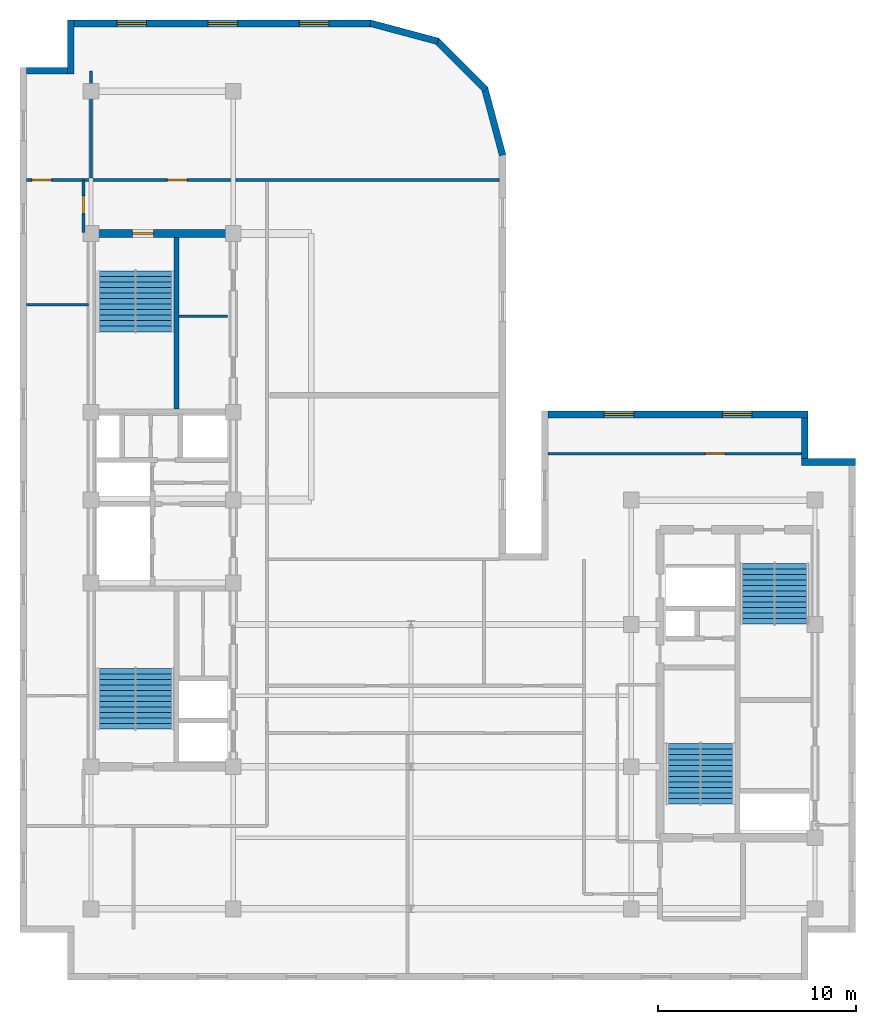
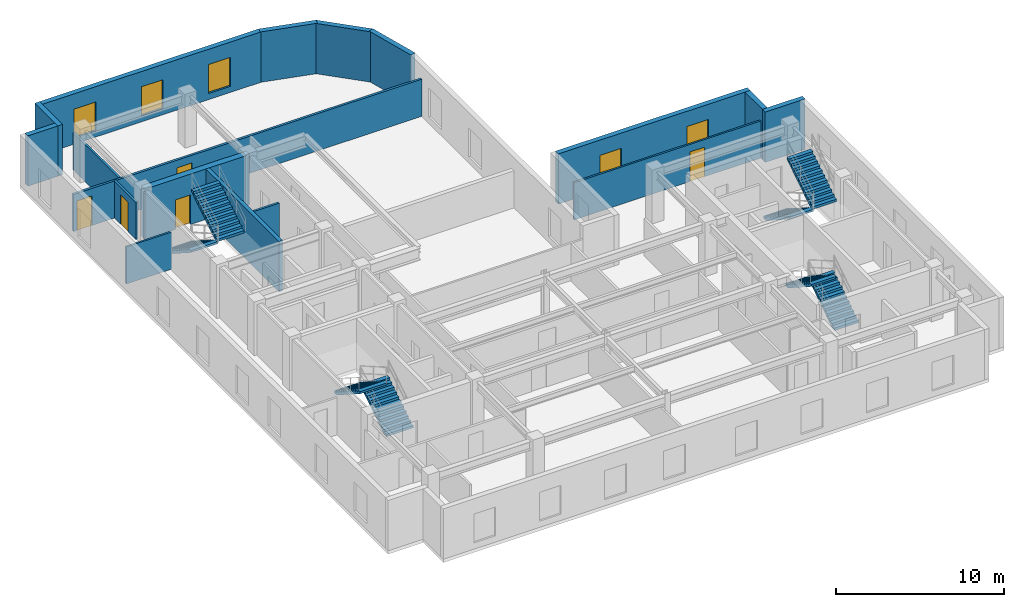
# One storey, part 6 of 9: 17 walls, 8 stair flights, 5 doors, 5 windows, 10 openings, 4 elements without a shape of their own.
"""IFC4 building model written with IfcOpenShell, lengths in metres."""

from ifc_helpers import new_model, entity, si_unit, converted_unit, direction, frame, origin_with_axes, origin_2d_with_axis, place, context, subcontext, project, spatial, polyline, rectangle, outline, extrude, material, layer, layer_set, type_object, element, fill, aggregate, save


model = new_model("IFC4")

# Units and contexts
model_context = context("Model", 3, precision=1e-05, world=origin_with_axes(), true_north=direction((0.0, 1.0)))
body_context = subcontext(model_context, "Body", "Model", "MODEL_VIEW")
ifc_project = project(units=[si_unit("LENGTHUNIT", "METRE"), si_unit("AREAUNIT", "SQUARE_METRE"), si_unit("VOLUMEUNIT", "CUBIC_METRE"), converted_unit("PLANEANGLEUNIT", "DEGREE", entity("IfcPlaneAngleMeasure", 0.017453292519943295), si_unit("PLANEANGLEUNIT", "RADIAN"), dimensions=[0, 0, 0, 0, 0, 0, 0]), si_unit("MASSUNIT", "GRAM", prefix="KILO"), si_unit("THERMODYNAMICTEMPERATUREUNIT", "KELVIN")], contexts=[model_context])

# Site, building, storey
site_placement = place(None, origin_with_axes())
site = spatial("IfcSite", under=ifc_project, at=site_placement, CompositionType="ELEMENT")
building_placement = place(site_placement, origin_with_axes())
building = spatial("IfcBuilding", under=site, at=building_placement, Name="Varnlund Millrace Tower", CompositionType="ELEMENT")
storey_placement = place(building_placement, frame((0.0, 0.0, 256.8), z_axis=(0.0, 0.0, 1.0), x_axis=(1.0, 0.0, 0.0)))
storey = spatial("IfcBuildingStorey", under=building, at=storey_placement, Name="L63", CompositionType="ELEMENT", Elevation=256.8)

# Wall, opening, door
ifc_material_1 = material(Name="Concrete C60/75", Category="concrete")
ifc_layer_1 = layer(ifc_material_1, 0.42, Name="Concrete C60/75")
ifc_layer_set_1 = layer_set([ifc_layer_1], Name="Concrete C60/75")
wall_type_1 = type_object("IfcWallType", Name="Type-CoreWall-Shear-420-C60", PredefinedType="SHEAR", material=ifc_layer_set_1)
wall_1_placement = place(storey_placement, frame((11.4, 37.8, 0.0), z_axis=(0.0, 0.0, 1.0), x_axis=(1.0, 0.0, 0.0)))
wall_1 = element("IfcWall", 1, at=wall_1_placement, inside=storey, type_object=wall_type_1, Name="Type-CoreWall-Shear-420-C60", PredefinedType="SHEAR", context=body_context, shape_type="SweptSolid", body=[
    extrude(outline(polyline([(0.0, -0.21), (7.2, -0.21), (7.2, 0.21), (0.0, 0.21), (0.0, -0.21)])), origin_with_axes(), (0.0, 0.0, 1.0), 3.66),
])
opening_1_placement = place(wall_1_placement, frame((2.625, 0.0, 0.0), z_axis=(0.0, 0.0, 1.0), x_axis=(1.0, 0.0, 0.0)))
opening_1 = element("IfcOpeningElement", 2, at=opening_1_placement, cuts=wall_1, Name="Opening L63:DR-STA2", PredefinedType="OPENING", context=body_context, shape_type="SweptSolid", body=[
    extrude(rectangle(XDim=1.05, YDim=0.44, at=origin_2d_with_axis()), origin_with_axes(), (0.0, 0.0, 1.0), 2.15),
])
ifc_material_2 = material(Name="Fire-rated hollow steel door", Category="steel")
door_type_1 = type_object("IfcDoorType", Name="Type-FireDoor-Stair-1050X2150", OperationType="NOTDEFINED", PredefinedType="DOOR", material=ifc_material_2)
door_1_placement = place(wall_1_placement, frame((2.625, 0.0, 0.0), z_axis=(0.0, 0.0, 1.0), x_axis=(1.0, 0.0, 0.0)))
door_1 = element("IfcDoor", 3, at=door_1_placement, inside=storey, type_object=door_type_1, Name="Type-FireDoor-Stair-1050X2150", OperationType="SINGLE_SWING_RIGHT", OverallHeight=2.15, OverallWidth=1.05, PredefinedType="DOOR", context=body_context, shape_type="SweptSolid", body=[
    extrude(rectangle(XDim=1.05, YDim=0.09, at=origin_2d_with_axis()), origin_with_axes(), (0.0, 0.0, 1.0), 2.15),
])
fill(opening_1, door_1)

# Wall, openings, windows
ifc_material_3 = material(Name="Precast concrete C50/60", Category="concrete")
ifc_layer_2 = layer(ifc_material_3, 0.34, Name="Precast concrete C50/60")
ifc_layer_set_2 = layer_set([ifc_layer_2], Name="Precast concrete C50/60")
wall_type_2 = type_object("IfcWallType", Name="Type-ExtWall-Precast-Upper-340", PredefinedType="SOLIDWALL", material=ifc_layer_set_2)
wall_2_placement = place(storey_placement, frame((34.54, 28.63, 0.0), z_axis=(0.0, 0.0, 1.0), x_axis=(1.0, 0.0, 0.0)))
wall_2 = element("IfcWall", 4, at=wall_2_placement, inside=storey, type_object=wall_type_2, Name="Type-ExtWall-Precast-Upper-340", PredefinedType="SOLIDWALL", context=body_context, shape_type="SweptSolid", body=[
    extrude(outline(polyline([(0.0, -0.17), (13.16, -0.17), (13.16, 0.17), (0.0, 0.17), (0.0, -0.17)])), origin_with_axes(), (0.0, 0.0, 1.0), 3.66),
])
opening_2_placement = place(wall_2_placement, frame((3.59, 0.0, 0.45), z_axis=(0.0, 0.0, 1.0), x_axis=(1.0, 0.0, 0.0)))
opening_2 = element("IfcOpeningElement", 5, at=opening_2_placement, cuts=wall_2, Name="Opening L63:WN-02", PredefinedType="OPENING", context=body_context, shape_type="SweptSolid", body=[
    extrude(rectangle(XDim=1.5, YDim=0.36, at=origin_2d_with_axis()), origin_with_axes(), (0.0, 0.0, 1.0), 2.1),
])
opening_3_placement = place(wall_2_placement, frame((9.57, 0.0, 0.45), z_axis=(0.0, 0.0, 1.0), x_axis=(1.0, 0.0, 0.0)))
opening_3 = element("IfcOpeningElement", 6, at=opening_3_placement, cuts=wall_2, Name="Opening L63:WN-03", PredefinedType="OPENING", context=body_context, shape_type="SweptSolid", body=[
    extrude(rectangle(XDim=1.5, YDim=0.36, at=origin_2d_with_axis()), origin_with_axes(), (0.0, 0.0, 1.0), 2.1),
])
ifc_material_4 = material(Name="Argon low-e triple glazing in thermally broken bronze frame", Category="glass")
window_type = type_object("IfcWindowType", Name="Type-Window-Punched-1500X2100", PartitioningType="SINGLE_PANEL", PredefinedType="WINDOW", material=ifc_material_4)
window_1_placement = place(wall_2_placement, frame((3.59, 0.0, 0.45), z_axis=(0.0, 0.0, 1.0), x_axis=(1.0, 0.0, 0.0)))
window_1 = element("IfcWindow", 7, at=window_1_placement, inside=storey, type_object=window_type, Name="Type-Window-Punched-1500X2100", OverallHeight=2.1, OverallWidth=1.5, PredefinedType="WINDOW", context=body_context, shape_type="SweptSolid", body=[
    extrude(rectangle(XDim=1.5, YDim=0.09, at=origin_2d_with_axis()), origin_with_axes(), (0.0, 0.0, 1.0), 2.1),
])
fill(opening_2, window_1)
window_2_placement = place(wall_2_placement, frame((9.57, 0.0, 0.45), z_axis=(0.0, 0.0, 1.0), x_axis=(1.0, 0.0, 0.0)))
window_2 = element("IfcWindow", 8, at=window_2_placement, inside=storey, type_object=window_type, Name="Type-Window-Punched-1500X2100", OverallHeight=2.1, OverallWidth=1.5, PredefinedType="WINDOW", context=body_context, shape_type="SweptSolid", body=[
    extrude(rectangle(XDim=1.5, YDim=0.09, at=origin_2d_with_axis()), origin_with_axes(), (0.0, 0.0, 1.0), 2.1),
])
fill(opening_3, window_2)

# Walls
wall_3_placement = place(storey_placement, frame((47.53, 28.46, 0.0), z_axis=(0.0, 0.0, 1.0), x_axis=(0.0, -1.0, 0.0)))
element("IfcWall", 9, at=wall_3_placement, inside=storey, type_object=wall_type_2, Name="Type-ExtWall-Precast-Upper-340", PredefinedType="SOLIDWALL", context=body_context, shape_type="SweptSolid", body=[
    extrude(outline(polyline([(0.0, -0.17), (2.06, -0.17), (2.06, 0.17), (0.0, 0.17), (0.0, -0.17)])), origin_with_axes(), (0.0, 0.0, 1.0), 3.66),
])
wall_4_placement = place(storey_placement, frame((47.36, 26.23, 0.0), z_axis=(0.0, 0.0, 1.0), x_axis=(1.0, 0.0, 0.0)))
element("IfcWall", 10, at=wall_4_placement, inside=storey, type_object=wall_type_2, Name="Type-ExtWall-Precast-Upper-340", PredefinedType="SOLIDWALL", context=body_context, shape_type="SweptSolid", body=[
    extrude(outline(polyline([(0.0, -0.17), (2.74, -0.17), (2.74, 0.17), (0.0, 0.17), (0.0, -0.17)])), origin_with_axes(), (0.0, 0.0, 1.0), 3.66),
])
wall_5_placement = place(storey_placement, frame((8.14, 46.03, 0.0), z_axis=(0.0, 0.0, 1.0), x_axis=(1.0, 0.0, 0.0)))
element("IfcWall", 11, at=wall_5_placement, inside=storey, type_object=wall_type_2, Name="Type-ExtWall-Precast-Upper-340", PredefinedType="SOLIDWALL", context=body_context, shape_type="SweptSolid", body=[
    extrude(outline(polyline([(0.0, -0.17), (2.06, -0.17), (2.06, 0.17), (0.0, 0.17), (0.0, -0.17)])), origin_with_axes(), (0.0, 0.0, 1.0), 3.66),
])
wall_6_placement = place(storey_placement, frame((10.37, 45.86, 0.0), z_axis=(0.0, 0.0, 1.0), x_axis=(0.0, 1.0, 0.0)))
element("IfcWall", 12, at=wall_6_placement, inside=storey, type_object=wall_type_2, Name="Type-ExtWall-Precast-Upper-340", PredefinedType="SOLIDWALL", context=body_context, shape_type="SweptSolid", body=[
    extrude(outline(polyline([(0.0, -0.17), (2.74, -0.17), (2.74, 0.17), (0.0, 0.17), (0.0, -0.17)])), origin_with_axes(), (0.0, 0.0, 1.0), 3.66),
])

# Wall, openings, windows
wall_7_placement = place(storey_placement, frame((10.54, 48.43, 0.0), z_axis=(0.0, 0.0, 1.0), x_axis=(1.0, 0.0, 0.0)))
wall_7 = element("IfcWall", 13, at=wall_7_placement, inside=storey, type_object=wall_type_2, Name="Type-ExtWall-Precast-Upper-340", PredefinedType="SOLIDWALL", context=body_context, shape_type="SweptSolid", body=[
    extrude(outline(polyline([(0.0, -0.17), (15.06, -0.17), (15.06, 0.17), (0.0, 0.17), (0.0, -0.17)])), origin_with_axes(), (0.0, 0.0, 1.0), 3.66),
])
opening_4_placement = place(wall_7_placement, frame((2.91, 0.0, 0.45), z_axis=(0.0, 0.0, 1.0), x_axis=(1.0, 0.0, 0.0)))
opening_4 = element("IfcOpeningElement", 14, at=opening_4_placement, cuts=wall_7, Name="Opening L63:WN-25", PredefinedType="OPENING", context=body_context, shape_type="SweptSolid", body=[
    extrude(rectangle(XDim=1.5, YDim=0.36, at=origin_2d_with_axis()), origin_with_axes(), (0.0, 0.0, 1.0), 2.1),
])
opening_5_placement = place(wall_7_placement, frame((7.53, 0.0, 0.45), z_axis=(0.0, 0.0, 1.0), x_axis=(1.0, 0.0, 0.0)))
opening_5 = element("IfcOpeningElement", 15, at=opening_5_placement, cuts=wall_7, Name="Opening L63:WN-26", PredefinedType="OPENING", context=body_context, shape_type="SweptSolid", body=[
    extrude(rectangle(XDim=1.5, YDim=0.36, at=origin_2d_with_axis()), origin_with_axes(), (0.0, 0.0, 1.0), 2.1),
])
opening_6_placement = place(wall_7_placement, frame((12.15, 0.0, 0.45), z_axis=(0.0, 0.0, 1.0), x_axis=(1.0, 0.0, 0.0)))
opening_6 = element("IfcOpeningElement", 16, at=opening_6_placement, cuts=wall_7, Name="Opening L63:WN-27", PredefinedType="OPENING", context=body_context, shape_type="SweptSolid", body=[
    extrude(rectangle(XDim=1.5, YDim=0.36, at=origin_2d_with_axis()), origin_with_axes(), (0.0, 0.0, 1.0), 2.1),
])
window_3_placement = place(wall_7_placement, frame((2.91, 0.0, 0.45), z_axis=(0.0, 0.0, 1.0), x_axis=(1.0, 0.0, 0.0)))
window_3 = element("IfcWindow", 17, at=window_3_placement, inside=storey, type_object=window_type, Name="Type-Window-Punched-1500X2100", OverallHeight=2.1, OverallWidth=1.5, PredefinedType="WINDOW", context=body_context, shape_type="SweptSolid", body=[
    extrude(rectangle(XDim=1.5, YDim=0.09, at=origin_2d_with_axis()), origin_with_axes(), (0.0, 0.0, 1.0), 2.1),
])
fill(opening_4, window_3)
window_4_placement = place(wall_7_placement, frame((7.53, 0.0, 0.45), z_axis=(0.0, 0.0, 1.0), x_axis=(1.0, 0.0, 0.0)))
window_4 = element("IfcWindow", 18, at=window_4_placement, inside=storey, type_object=window_type, Name="Type-Window-Punched-1500X2100", OverallHeight=2.1, OverallWidth=1.5, PredefinedType="WINDOW", context=body_context, shape_type="SweptSolid", body=[
    extrude(rectangle(XDim=1.5, YDim=0.09, at=origin_2d_with_axis()), origin_with_axes(), (0.0, 0.0, 1.0), 2.1),
])
fill(opening_5, window_4)
window_5_placement = place(wall_7_placement, frame((12.15, 0.0, 0.45), z_axis=(0.0, 0.0, 1.0), x_axis=(1.0, 0.0, 0.0)))
window_5 = element("IfcWindow", 19, at=window_5_placement, inside=storey, type_object=window_type, Name="Type-Window-Punched-1500X2100", OverallHeight=2.1, OverallWidth=1.5, PredefinedType="WINDOW", context=body_context, shape_type="SweptSolid", body=[
    extrude(rectangle(XDim=1.5, YDim=0.09, at=origin_2d_with_axis()), origin_with_axes(), (0.0, 0.0, 1.0), 2.1),
])
fill(opening_6, window_5)

# Walls
wall_8_placement = place(storey_placement, frame((25.537, 48.441, 0.0), z_axis=(0.0, 0.0, 1.0), x_axis=(0.965934, -0.258788, 0.0)))
element("IfcWall", 20, at=wall_8_placement, inside=storey, type_object=wall_type_2, Name="Type-ExtWall-Precast-Upper-340", PredefinedType="SOLIDWALL", context=body_context, shape_type="SweptSolid", body=[
    extrude(outline(polyline([(0.0, -0.17), (3.539579, -0.17), (3.539579, 0.17), (0.0, 0.17), (0.0, -0.17)])), origin_with_axes(), (0.0, 0.0, 1.0), 3.66),
])
wall_9_placement = place(storey_placement, frame((28.866, 47.583, 0.0), z_axis=(0.0, 0.0, 1.0), x_axis=(0.707107, -0.707107, 0.0)))
element("IfcWall", 21, at=wall_9_placement, inside=storey, type_object=wall_type_2, Name="Type-ExtWall-Precast-Upper-340", PredefinedType="SOLIDWALL", context=body_context, shape_type="SweptSolid", body=[
    extrude(outline(polyline([(0.0, -0.17), (3.539777, -0.17), (3.539777, 0.17), (0.0, 0.17), (0.0, -0.17)])), origin_with_axes(), (0.0, 0.0, 1.0), 3.66),
])
wall_10_placement = place(storey_placement, frame((31.32, 45.175, 0.0), z_axis=(0.0, 0.0, 1.0), x_axis=(0.258788, -0.965934, 0.0)))
element("IfcWall", 22, at=wall_10_placement, inside=storey, type_object=wall_type_2, Name="Type-ExtWall-Precast-Upper-340", PredefinedType="SOLIDWALL", context=body_context, shape_type="SweptSolid", body=[
    extrude(outline(polyline([(0.0, -0.17), (3.539579, -0.17), (3.539579, 0.17), (0.0, 0.17), (0.0, -0.17)])), origin_with_axes(), (0.0, 0.0, 1.0), 3.66),
])

# Wall, openings, doors
ifc_material_5 = material(Name="Fire-rated gypsum board on cold-formed steel framing", Category="steel")
ifc_layer_3 = layer(ifc_material_5, 0.16, Name="Fire-rated gypsum board on cold-formed steel framing")
ifc_layer_set_3 = layer_set([ifc_layer_3], Name="Fire-rated gypsum board on cold-formed steel framing")
wall_type_3 = type_object("IfcWallType", Name="Type-Partition-Corridor-160", PredefinedType="PARTITIONING", material=ifc_layer_set_3)
wall_11_placement = place(storey_placement, frame((8.135, 40.5, 0.0), z_axis=(0.0, 0.0, 1.0), x_axis=(1.0, 0.0, 0.0)))
wall_11 = element("IfcWall", 23, at=wall_11_placement, inside=storey, type_object=wall_type_3, Name="Type-Partition-Corridor-160", PredefinedType="PARTITIONING", context=body_context, shape_type="SweptSolid", body=[
    extrude(outline(polyline([(0.0, -0.08), (23.93, -0.08), (23.93, 0.08), (0.0, 0.08), (0.0, -0.08)])), origin_with_axes(), (0.0, 0.0, 1.0), 2.7),
])
opening_7_placement = place(wall_11_placement, frame((0.76, 0.0, 0.0), z_axis=(0.0, 0.0, 1.0), x_axis=(1.0, 0.0, 0.0)))
opening_7 = element("IfcOpeningElement", 24, at=opening_7_placement, cuts=wall_11, Name="Opening L63:DR-WAN-01", PredefinedType="OPENING", context=body_context, shape_type="SweptSolid", body=[
    extrude(rectangle(XDim=1.0, YDim=0.18, at=origin_2d_with_axis()), origin_with_axes(), (0.0, 0.0, 1.0), 2.15),
])
opening_8_placement = place(wall_11_placement, frame((7.625, 0.0, 0.0), z_axis=(0.0, 0.0, 1.0), x_axis=(1.0, 0.0, 0.0)))
opening_8 = element("IfcOpeningElement", 25, at=opening_8_placement, cuts=wall_11, Name="Opening L63:DR-WAN-02", PredefinedType="OPENING", context=body_context, shape_type="SweptSolid", body=[
    extrude(rectangle(XDim=1.0, YDim=0.18, at=origin_2d_with_axis()), origin_with_axes(), (0.0, 0.0, 1.0), 2.15),
])
ifc_material_6 = material(Name="Solid-core white oak and bronze frame door")
door_type_2 = type_object("IfcDoorType", Name="Type-IntDoor-Office-1000X2150", OperationType="NOTDEFINED", PredefinedType="DOOR", material=ifc_material_6)
door_2_placement = place(wall_11_placement, frame((0.76, 0.0, 0.0), z_axis=(0.0, 0.0, 1.0), x_axis=(1.0, 0.0, 0.0)))
door_2 = element("IfcDoor", 26, at=door_2_placement, inside=storey, type_object=door_type_2, Name="Type-IntDoor-Office-1000X2150", OperationType="SINGLE_SWING_LEFT", OverallHeight=2.15, OverallWidth=1.0, PredefinedType="DOOR", context=body_context, shape_type="SweptSolid", body=[
    extrude(rectangle(XDim=1.0, YDim=0.09, at=origin_2d_with_axis()), origin_with_axes(), (0.0, 0.0, 1.0), 2.15),
])
fill(opening_7, door_2)
door_3_placement = place(wall_11_placement, frame((7.625, 0.0, 0.0), z_axis=(0.0, 0.0, 1.0), x_axis=(1.0, 0.0, 0.0)))
door_3 = element("IfcDoor", 27, at=door_3_placement, inside=storey, type_object=door_type_2, Name="Type-IntDoor-Office-1000X2150", OperationType="SINGLE_SWING_RIGHT", OverallHeight=2.15, OverallWidth=1.0, PredefinedType="DOOR", context=body_context, shape_type="SweptSolid", body=[
    extrude(rectangle(XDim=1.0, YDim=0.09, at=origin_2d_with_axis()), origin_with_axes(), (0.0, 0.0, 1.0), 2.15),
])
fill(opening_8, door_3)

# Wall, opening, door
wall_12_placement = place(storey_placement, frame((11.02, 37.85, 0.0), z_axis=(0.0, 0.0, 1.0), x_axis=(0.0, 1.0, 0.0)))
wall_12 = element("IfcWall", 28, at=wall_12_placement, inside=storey, type_object=wall_type_3, Name="Type-Partition-Corridor-160", PredefinedType="PARTITIONING", context=body_context, shape_type="SweptSolid", body=[
    extrude(outline(polyline([(0.0, -0.08), (2.65, -0.08), (2.65, 0.08), (0.0, 0.08), (0.0, -0.08)])), origin_with_axes(), (0.0, 0.0, 1.0), 2.7),
])
opening_9_placement = place(wall_12_placement, frame((1.4, 0.0, 0.0), z_axis=(0.0, 0.0, 1.0), x_axis=(1.0, 0.0, 0.0)))
opening_9 = element("IfcOpeningElement", 29, at=opening_9_placement, cuts=wall_12, Name="Opening L63:DR-WU-N1", PredefinedType="OPENING", context=body_context, shape_type="SweptSolid", body=[
    extrude(rectangle(XDim=0.9, YDim=0.18, at=origin_2d_with_axis()), origin_with_axes(), (0.0, 0.0, 1.0), 2.15),
])
ifc_material_7 = material(Name="Painted steel riser and closet door", Category="steel")
door_type_3 = type_object("IfcDoorType", Name="Type-IntDoor-Closet-900X2150", OperationType="NOTDEFINED", PredefinedType="DOOR", material=ifc_material_7)
door_4_placement = place(wall_12_placement, frame((1.4, 0.0, 0.0), z_axis=(0.0, 0.0, 1.0), x_axis=(1.0, 0.0, 0.0)))
door_4 = element("IfcDoor", 30, at=door_4_placement, inside=storey, type_object=door_type_3, Name="Type-IntDoor-Closet-900X2150", OperationType="SINGLE_SWING_RIGHT", OverallHeight=2.15, OverallWidth=0.9, PredefinedType="DOOR", context=body_context, shape_type="SweptSolid", body=[
    extrude(rectangle(XDim=0.9, YDim=0.09, at=origin_2d_with_axis()), origin_with_axes(), (0.0, 0.0, 1.0), 2.15),
])
fill(opening_9, door_4)

# Walls
ifc_material_8 = material(Name="Acoustic STC-50 gypsum board partition", Category="gypsum")
ifc_layer_4 = layer(ifc_material_8, 0.15, Name="Acoustic STC-50 gypsum board partition")
ifc_layer_set_4 = layer_set([ifc_layer_4], Name="Acoustic STC-50 gypsum board partition")
wall_type_4 = type_object("IfcWallType", Name="Type-Partition-Demising-150", PredefinedType="PARTITIONING", material=ifc_layer_set_4)
wall_13_placement = place(storey_placement, frame((11.4, 40.6, 0.0), z_axis=(0.0, 0.0, 1.0), x_axis=(0.0, 1.0, 0.0)))
element("IfcWall", 31, at=wall_13_placement, inside=storey, type_object=wall_type_4, Name="Type-Partition-Demising-150", PredefinedType="PARTITIONING", context=body_context, shape_type="SweptSolid", body=[
    extrude(outline(polyline([(0.0, -0.075), (5.42, -0.075), (5.42, 0.075), (0.0, 0.075), (0.0, -0.075)])), origin_with_axes(), (0.0, 0.0, 1.0), 2.7),
])
ifc_material_9 = material(Name="Gypsum board tenant partition", Category="gypsum")
ifc_layer_5 = layer(ifc_material_9, 0.125, Name="Gypsum board tenant partition")
ifc_layer_set_5 = layer_set([ifc_layer_5], Name="Gypsum board tenant partition")
wall_type_5 = type_object("IfcWallType", Name="Type-Partition-Tenant-125", PredefinedType="PARTITIONING", material=ifc_layer_set_5)
wall_14_placement = place(storey_placement, frame((8.135, 34.2, 0.0), z_axis=(0.0, 0.0, 1.0), x_axis=(1.0, 0.0, 0.0)))
element("IfcWall", 32, at=wall_14_placement, inside=storey, type_object=wall_type_5, Name="Type-Partition-Tenant-125", PredefinedType="PARTITIONING", context=body_context, shape_type="SweptSolid", body=[
    extrude(outline(polyline([(0.0, -0.0625), (3.135, -0.0625), (3.135, 0.0625), (0.0, 0.0625), (0.0, -0.0625)])), origin_with_axes(), (0.0, 0.0, 1.0), 2.7),
])

# Wall, opening, door
wall_15_placement = place(storey_placement, frame((34.535, 26.65, 0.0), z_axis=(0.0, 0.0, 1.0), x_axis=(1.0, 0.0, 0.0)))
wall_15 = element("IfcWall", 33, at=wall_15_placement, inside=storey, type_object=wall_type_5, Name="Type-Partition-Tenant-125", PredefinedType="PARTITIONING", context=body_context, shape_type="SweptSolid", body=[
    extrude(outline(polyline([(0.0, -0.0625), (12.995, -0.0625), (12.995, 0.0625), (0.0, 0.0625), (0.0, -0.0625)])), origin_with_axes(), (0.0, 0.0, 1.0), 2.7),
])
opening_10_placement = place(wall_15_placement, frame((8.465, 0.0, 0.0), z_axis=(0.0, 0.0, 1.0), x_axis=(1.0, 0.0, 0.0)))
opening_10 = element("IfcOpeningElement", 34, at=opening_10_placement, cuts=wall_15, Name="Opening L63:DR-WBN-01", PredefinedType="OPENING", context=body_context, shape_type="SweptSolid", body=[
    extrude(rectangle(XDim=1.0, YDim=0.145, at=origin_2d_with_axis()), origin_with_axes(), (0.0, 0.0, 1.0), 2.15),
])
door_5_placement = place(wall_15_placement, frame((8.465, 0.0, 0.0), z_axis=(0.0, 0.0, 1.0), x_axis=(1.0, 0.0, 0.0)))
door_5 = element("IfcDoor", 35, at=door_5_placement, inside=storey, type_object=door_type_2, Name="Type-IntDoor-Office-1000X2150", OperationType="SINGLE_SWING_RIGHT", OverallHeight=2.15, OverallWidth=1.0, PredefinedType="DOOR", context=body_context, shape_type="SweptSolid", body=[
    extrude(rectangle(XDim=1.0, YDim=0.075, at=origin_2d_with_axis()), origin_with_axes(), (0.0, 0.0, 1.0), 2.15),
])
fill(opening_10, door_5)

# Walls
ifc_material_10 = material(Name="Moisture-resistant gypsum restroom partition", Category="gypsum")
ifc_layer_6 = layer(ifc_material_10, 0.14, Name="Moisture-resistant gypsum restroom partition")
ifc_layer_set_6 = layer_set([ifc_layer_6], Name="Moisture-resistant gypsum restroom partition")
wall_type_6 = type_object("IfcWallType", Name="Type-Partition-Wet-140", PredefinedType="PARTITIONING", material=ifc_layer_set_6)
wall_16_placement = place(storey_placement, frame((15.84, 33.6, 0.0), z_axis=(0.0, 0.0, 1.0), x_axis=(1.0, 0.0, 0.0)))
element("IfcWall", 36, at=wall_16_placement, inside=storey, type_object=wall_type_6, Name="Type-Partition-Wet-140", PredefinedType="PARTITIONING", context=body_context, shape_type="SweptSolid", body=[
    extrude(outline(polyline([(0.0, -0.07), (2.46, -0.07), (2.46, 0.07), (0.0, 0.07), (0.0, -0.07)])), origin_with_axes(), (0.0, 0.0, 1.0), 2.7),
])
ifc_layer_7 = layer(ifc_material_1, 0.25, Name="Concrete C60/75")
ifc_layer_set_7 = layer_set([ifc_layer_7], Name="Concrete C60/75")
wall_type_7 = type_object("IfcWallType", Name="Type-StairWall-Shear-250", PredefinedType="SHEAR", material=ifc_layer_set_7)
wall_17_placement = place(storey_placement, frame((15.725, 28.9, 0.0), z_axis=(0.0, 0.0, 1.0), x_axis=(0.0, 1.0, 0.0)))
element("IfcWall", 37, at=wall_17_placement, inside=storey, type_object=wall_type_7, Name="Type-StairWall-Shear-250", PredefinedType="SHEAR", context=body_context, shape_type="SweptSolid", body=[
    extrude(outline(polyline([(0.0, -0.125), (8.69, -0.125), (8.69, 0.125), (0.0, 0.125), (0.0, -0.125)])), origin_with_axes(), (0.0, 0.0, 1.0), 3.66),
])

# Stair, stair flights
ifc_material_11 = material(Name="Concrete C50/60", Category="concrete")
stair_type_1 = type_object("IfcStairType", Name="Type-Stair-Dogleg-165-390", PredefinedType="HALF_TURN_STAIR", material=ifc_material_11)
stair_1_placement = place(storey_placement, origin_with_axes())
stair_1 = element("IfcStair", 38, at=stair_1_placement, inside=storey, type_object=stair_type_1, Name="Type-Stair-Dogleg-165-390", PredefinedType="HALF_TURN_STAIR")
stair_flight_type_1 = type_object("IfcStairFlightType", Name="Type-Dogleg-Run-165-390", PredefinedType="STRAIGHT", material=ifc_material_3)
stair_flight_1_placement = place(storey_placement, frame((42.225, 8.9, 0.0), z_axis=(1.0, 0.0, 0.0), x_axis=(0.0, 1.0, 0.0)))
stair_flight_1 = element("IfcStairFlight", 39, at=stair_flight_1_placement, type_object=stair_flight_type_1, Name="ST-B1 flight 1", NumberOfRisers=11, NumberOfTreads=11, PredefinedType="STRAIGHT", RiserHeight=0.177273, TreadLength=0.28, context=body_context, shape_type="SweptSolid", body=[
    extrude(outline(polyline([(0.0, 0.0), (0.0, 0.177273), (0.28, 0.177273), (0.28, 0.354545), (0.56, 0.354545), (0.56, 0.531818), (0.84, 0.531818), (0.84, 0.709091), (1.12, 0.709091), (1.12, 0.886364), (1.4, 0.886364), (1.4, 1.063636), (1.68, 1.063636), (1.68, 1.240909), (1.96, 1.240909), (1.96, 1.418182), (2.24, 1.418182), (2.24, 1.595454), (2.52, 1.595454), (2.52, 1.772727), (2.8, 1.772727), (2.8, 1.95), (3.08, 1.95), (3.08, 1.8), (0.28, 0.0), (0.0, 0.0)])), origin_with_axes(), (0.0, 0.0, 1.0), 1.65),
])
stair_flight_2_placement = place(storey_placement, frame((42.275, 11.98, 1.95), z_axis=(-1.0, 0.0, 0.0), x_axis=(0.0, -1.0, 0.0)))
stair_flight_2 = element("IfcStairFlight", 40, at=stair_flight_2_placement, type_object=stair_flight_type_1, Name="ST-B1 flight 2", NumberOfRisers=11, NumberOfTreads=11, PredefinedType="STRAIGHT", RiserHeight=0.177273, TreadLength=0.28, context=body_context, shape_type="SweptSolid", body=[
    extrude(outline(polyline([(0.0, 0.0), (0.0, 0.177273), (0.28, 0.177273), (0.28, 0.354545), (0.56, 0.354545), (0.56, 0.531818), (0.84, 0.531818), (0.84, 0.709091), (1.12, 0.709091), (1.12, 0.886364), (1.4, 0.886364), (1.4, 1.063636), (1.68, 1.063636), (1.68, 1.240909), (1.96, 1.240909), (1.96, 1.418182), (2.24, 1.418182), (2.24, 1.595454), (2.52, 1.595454), (2.52, 1.772727), (2.8, 1.772727), (2.8, 1.95), (3.08, 1.95), (3.08, 1.8), (0.28, 0.0), (0.0, 0.0)])), origin_with_axes(), (0.0, 0.0, 1.0), 1.65),
])
aggregate(stair_1, [stair_flight_1, stair_flight_2])

stair_2_placement = place(storey_placement, origin_with_axes())
stair_2 = element("IfcStair", 41, at=stair_2_placement, inside=storey, type_object=stair_type_1, Name="Type-Stair-Dogleg-165-390", PredefinedType="HALF_TURN_STAIR")
stair_flight_3_placement = place(storey_placement, frame((46.025, 21.1, 0.0), z_axis=(-1.0, 0.0, 0.0), x_axis=(0.0, -1.0, 0.0)))
stair_flight_3 = element("IfcStairFlight", 42, at=stair_flight_3_placement, type_object=stair_flight_type_1, Name="ST-B2 flight 1", NumberOfRisers=11, NumberOfTreads=11, PredefinedType="STRAIGHT", RiserHeight=0.177273, TreadLength=0.28, context=body_context, shape_type="SweptSolid", body=[
    extrude(outline(polyline([(0.0, 0.0), (0.0, 0.177273), (0.28, 0.177273), (0.28, 0.354545), (0.56, 0.354545), (0.56, 0.531818), (0.84, 0.531818), (0.84, 0.709091), (1.12, 0.709091), (1.12, 0.886364), (1.4, 0.886364), (1.4, 1.063636), (1.68, 1.063636), (1.68, 1.240909), (1.96, 1.240909), (1.96, 1.418182), (2.24, 1.418182), (2.24, 1.595454), (2.52, 1.595454), (2.52, 1.772727), (2.8, 1.772727), (2.8, 1.95), (3.08, 1.95), (3.08, 1.8), (0.28, 0.0), (0.0, 0.0)])), origin_with_axes(), (0.0, 0.0, 1.0), 1.65),
])
stair_flight_4_placement = place(storey_placement, frame((45.975, 18.02, 1.95), z_axis=(1.0, 0.0, 0.0), x_axis=(0.0, 1.0, 0.0)))
stair_flight_4 = element("IfcStairFlight", 43, at=stair_flight_4_placement, type_object=stair_flight_type_1, Name="ST-B2 flight 2", NumberOfRisers=11, NumberOfTreads=11, PredefinedType="STRAIGHT", RiserHeight=0.177273, TreadLength=0.28, context=body_context, shape_type="SweptSolid", body=[
    extrude(outline(polyline([(0.0, 0.0), (0.0, 0.177273), (0.28, 0.177273), (0.28, 0.354545), (0.56, 0.354545), (0.56, 0.531818), (0.84, 0.531818), (0.84, 0.709091), (1.12, 0.709091), (1.12, 0.886364), (1.4, 0.886364), (1.4, 1.063636), (1.68, 1.063636), (1.68, 1.240909), (1.96, 1.240909), (1.96, 1.418182), (2.24, 1.418182), (2.24, 1.595454), (2.52, 1.595454), (2.52, 1.772727), (2.8, 1.772727), (2.8, 1.95), (3.08, 1.95), (3.08, 1.8), (0.28, 0.0), (0.0, 0.0)])), origin_with_axes(), (0.0, 0.0, 1.0), 1.65),
])
aggregate(stair_2, [stair_flight_3, stair_flight_4])

stair_type_2 = type_object("IfcStairType", Name="Type-Stair-Dogleg-185-390", PredefinedType="HALF_TURN_STAIR", material=ifc_material_11)
stair_3_placement = place(storey_placement, origin_with_axes())
stair_3 = element("IfcStair", 44, at=stair_3_placement, inside=storey, type_object=stair_type_2, Name="Type-Stair-Dogleg-185-390", PredefinedType="HALF_TURN_STAIR")
stair_flight_type_2 = type_object("IfcStairFlightType", Name="Type-Dogleg-Run-185-390", PredefinedType="STRAIGHT", material=ifc_material_3)
stair_flight_5_placement = place(storey_placement, frame((13.625, 12.7, 0.0), z_axis=(1.0, 0.0, 0.0), x_axis=(0.0, 1.0, 0.0)))
stair_flight_5 = element("IfcStairFlight", 45, at=stair_flight_5_placement, type_object=stair_flight_type_2, Name="ST-A1 flight 1", NumberOfRisers=11, NumberOfTreads=11, PredefinedType="STRAIGHT", RiserHeight=0.177273, TreadLength=0.28, context=body_context, shape_type="SweptSolid", body=[
    extrude(outline(polyline([(0.0, 0.0), (0.0, 0.177273), (0.28, 0.177273), (0.28, 0.354545), (0.56, 0.354545), (0.56, 0.531818), (0.84, 0.531818), (0.84, 0.709091), (1.12, 0.709091), (1.12, 0.886364), (1.4, 0.886364), (1.4, 1.063636), (1.68, 1.063636), (1.68, 1.240909), (1.96, 1.240909), (1.96, 1.418182), (2.24, 1.418182), (2.24, 1.595454), (2.52, 1.595454), (2.52, 1.772727), (2.8, 1.772727), (2.8, 1.95), (3.08, 1.95), (3.08, 1.8), (0.28, 0.0), (0.0, 0.0)])), origin_with_axes(), (0.0, 0.0, 1.0), 1.85),
])
stair_flight_6_placement = place(storey_placement, frame((13.675, 15.78, 1.95), z_axis=(-1.0, 0.0, 0.0), x_axis=(0.0, -1.0, 0.0)))
stair_flight_6 = element("IfcStairFlight", 46, at=stair_flight_6_placement, type_object=stair_flight_type_2, Name="ST-A1 flight 2", NumberOfRisers=11, NumberOfTreads=11, PredefinedType="STRAIGHT", RiserHeight=0.177273, TreadLength=0.28, context=body_context, shape_type="SweptSolid", body=[
    extrude(outline(polyline([(0.0, 0.0), (0.0, 0.177273), (0.28, 0.177273), (0.28, 0.354545), (0.56, 0.354545), (0.56, 0.531818), (0.84, 0.531818), (0.84, 0.709091), (1.12, 0.709091), (1.12, 0.886364), (1.4, 0.886364), (1.4, 1.063636), (1.68, 1.063636), (1.68, 1.240909), (1.96, 1.240909), (1.96, 1.418182), (2.24, 1.418182), (2.24, 1.595454), (2.52, 1.595454), (2.52, 1.772727), (2.8, 1.772727), (2.8, 1.95), (3.08, 1.95), (3.08, 1.8), (0.28, 0.0), (0.0, 0.0)])), origin_with_axes(), (0.0, 0.0, 1.0), 1.85),
])
aggregate(stair_3, [stair_flight_5, stair_flight_6])

stair_4_placement = place(storey_placement, origin_with_axes())
stair_4 = element("IfcStair", 47, at=stair_4_placement, inside=storey, type_object=stair_type_2, Name="Type-Stair-Dogleg-185-390", PredefinedType="HALF_TURN_STAIR")
stair_flight_7_placement = place(storey_placement, frame((13.675, 35.9, 0.0), z_axis=(-1.0, 0.0, 0.0), x_axis=(0.0, -1.0, 0.0)))
stair_flight_7 = element("IfcStairFlight", 48, at=stair_flight_7_placement, type_object=stair_flight_type_2, Name="ST-A2 flight 1", NumberOfRisers=11, NumberOfTreads=11, PredefinedType="STRAIGHT", RiserHeight=0.177273, TreadLength=0.28, context=body_context, shape_type="SweptSolid", body=[
    extrude(outline(polyline([(0.0, 0.0), (0.0, 0.177273), (0.28, 0.177273), (0.28, 0.354545), (0.56, 0.354545), (0.56, 0.531818), (0.84, 0.531818), (0.84, 0.709091), (1.12, 0.709091), (1.12, 0.886364), (1.4, 0.886364), (1.4, 1.063636), (1.68, 1.063636), (1.68, 1.240909), (1.96, 1.240909), (1.96, 1.418182), (2.24, 1.418182), (2.24, 1.595454), (2.52, 1.595454), (2.52, 1.772727), (2.8, 1.772727), (2.8, 1.95), (3.08, 1.95), (3.08, 1.8), (0.28, 0.0), (0.0, 0.0)])), origin_with_axes(), (0.0, 0.0, 1.0), 1.85),
])
stair_flight_8_placement = place(storey_placement, frame((13.625, 32.82, 1.95), z_axis=(1.0, 0.0, 0.0), x_axis=(0.0, 1.0, 0.0)))
stair_flight_8 = element("IfcStairFlight", 49, at=stair_flight_8_placement, type_object=stair_flight_type_2, Name="ST-A2 flight 2", NumberOfRisers=11, NumberOfTreads=11, PredefinedType="STRAIGHT", RiserHeight=0.177273, TreadLength=0.28, context=body_context, shape_type="SweptSolid", body=[
    extrude(outline(polyline([(0.0, 0.0), (0.0, 0.177273), (0.28, 0.177273), (0.28, 0.354545), (0.56, 0.354545), (0.56, 0.531818), (0.84, 0.531818), (0.84, 0.709091), (1.12, 0.709091), (1.12, 0.886364), (1.4, 0.886364), (1.4, 1.063636), (1.68, 1.063636), (1.68, 1.240909), (1.96, 1.240909), (1.96, 1.418182), (2.24, 1.418182), (2.24, 1.595454), (2.52, 1.595454), (2.52, 1.772727), (2.8, 1.772727), (2.8, 1.95), (3.08, 1.95), (3.08, 1.8), (0.28, 0.0), (0.0, 0.0)])), origin_with_axes(), (0.0, 0.0, 1.0), 1.85),
])
aggregate(stair_4, [stair_flight_7, stair_flight_8])

save(model, "model.ifc")
